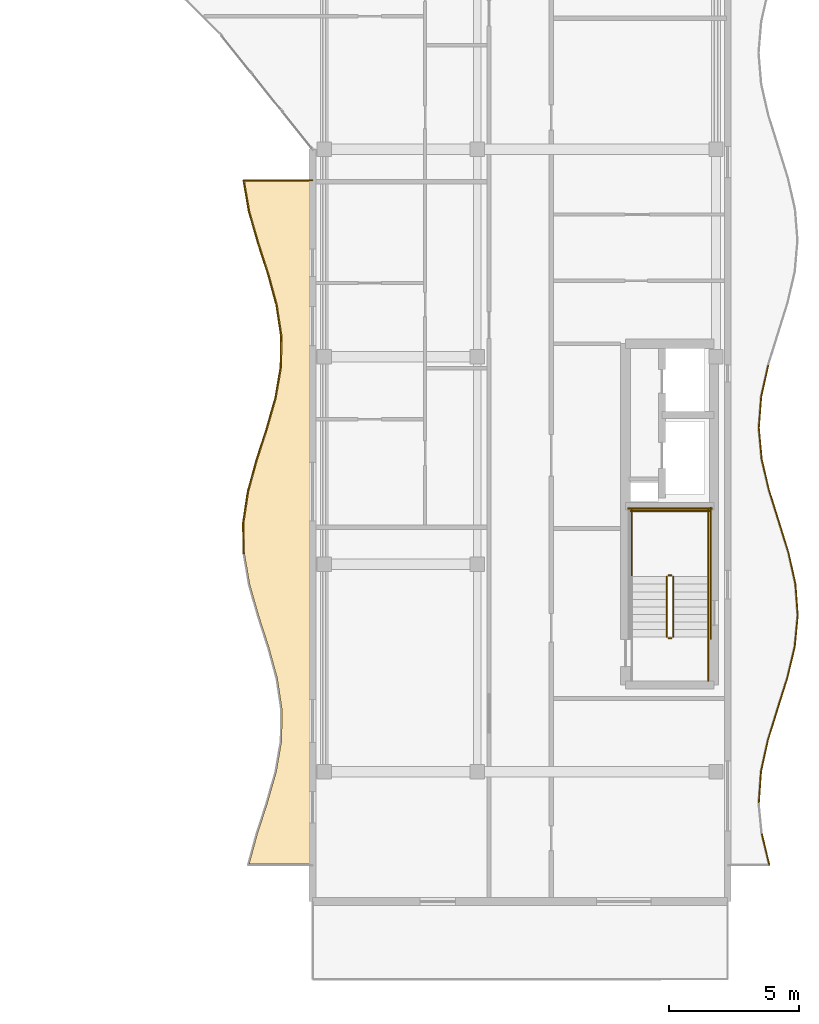
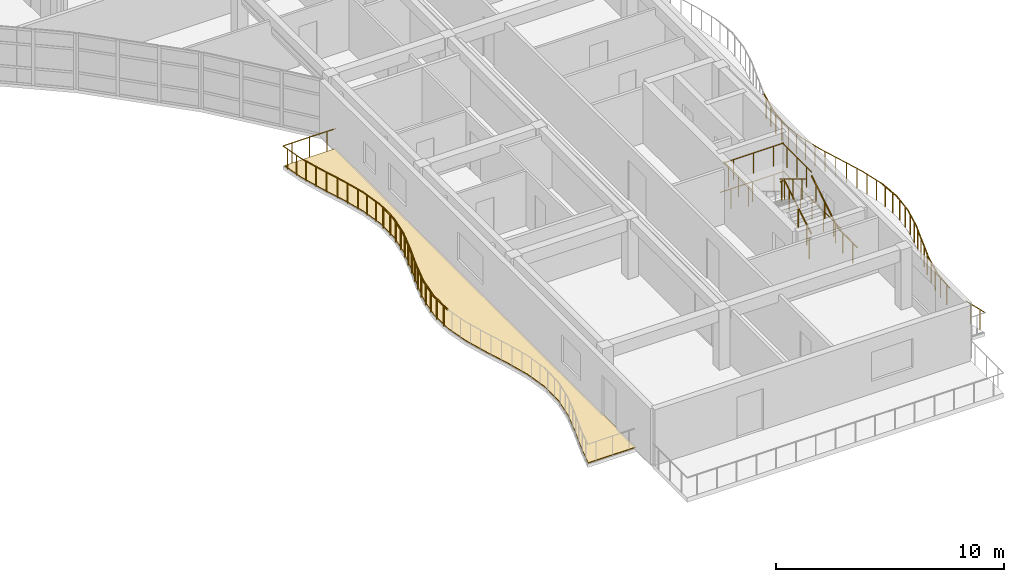
# One storey, part 47 of 49: 39 railings, 1 covering.
"""IFC4 building model written with IfcOpenShell, lengths in metres."""

from ifc_helpers import new_model, si_unit, direction, frame, origin, origin_2d, place, context, subcontext, project, spatial, polyline, circle, outline, extrude, material, layer, layer_set, type_object, element, save


model = new_model("IFC4")

# Units and contexts
model_context = context("Model", 3, precision=1e-05, world=origin(), true_north=direction((0.0, 1.0)))
body_context = subcontext(model_context, "Body", "Model", "MODEL_VIEW")
ifc_project = project(units=[si_unit("LENGTHUNIT", "METRE"), si_unit("AREAUNIT", "SQUARE_METRE"), si_unit("VOLUMEUNIT", "CUBIC_METRE"), si_unit("PLANEANGLEUNIT", "RADIAN"), si_unit("MASSUNIT", "GRAM", prefix="KILO")], contexts=[model_context])

# Site, building, storey
site_placement = place(None, origin())
site = spatial("IfcSite", under=ifc_project, at=site_placement, CompositionType="ELEMENT")
building_placement = place(site_placement, origin())
building = spatial("IfcBuilding", under=site, at=building_placement, Name="Keldmere Railside Commons", CompositionType="ELEMENT")
storey_placement = place(building_placement, frame((0.0, 0.0, 29.760009765625)))
storey = spatial("IfcBuildingStorey", under=building, at=storey_placement, Name="L09", CompositionType="ELEMENT", Elevation=29.760009765625)

# Railings
ifc_material_1 = material(Name="Steel F-24 (S235)", Category="steel")
railing_type_1 = type_object("IfcRailingType", Name="Balcony & Terrace Steel Balustrade 1100", PredefinedType="BALUSTRADE", material=ifc_material_1)
railing_1_placement = place(storey_placement, frame((165.333740234375, 72.39990234375, 0.0)))
element("IfcRailing", 1, at=railing_1_placement, inside=storey, type_object=railing_type_1, Name="GR-1 GRD-L09-4262", PredefinedType="BALUSTRADE", context=body_context, shape_type="SweptSolid", body=[
    extrude(circle(Radius=0.02392578125, at=origin_2d()), frame((0.0, 0.0, 1.076171875), z_axis=(-0.012610876677, 0.999920479733, 0.0), x_axis=(-0.999920479733, -0.012610876677, 0.0)), (0.0, 0.0, 1.0), 1.2001953125),
    extrude(circle(Radius=0.02099609375, at=origin_2d()), frame((-0.00390625, 0.300048828125, 0.0)), (0.0, 0.0, 1.0), 1.048095703125),
    extrude(circle(Radius=0.02099609375, at=origin_2d()), frame((-0.01123046875, 0.900146484375, 0.0)), (0.0, 0.0, 1.0), 1.048095703125),
])
railing_2_placement = place(storey_placement, frame((165.318603515625, 73.60009765625, 0.0)))
element("IfcRailing", 2, at=railing_2_placement, inside=storey, type_object=railing_type_1, Name="GR-1 GRD-L09-4263", PredefinedType="BALUSTRADE", context=body_context, shape_type="SweptSolid", body=[
    extrude(circle(Radius=0.02392578125, at=origin_2d()), frame((0.0, 0.0, 1.076171875), z_axis=(0.148881531912, 0.988855039657, 0.0), x_axis=(-0.988855039657, 0.148881531912, 0.0)), (0.0, 0.0, 1.0), 1.21337890625),
    extrude(circle(Radius=0.02099609375, at=origin_2d()), frame((0.045166015625, 0.300048828125, 0.0)), (0.0, 0.0, 1.0), 1.048095703125),
    extrude(circle(Radius=0.02099609375, at=origin_2d()), frame((0.135498046875, 0.89990234375, 0.0)), (0.0, 0.0, 1.0), 1.048095703125),
])
railing_3_placement = place(storey_placement, frame((165.499267578125, 74.800048828125, 0.0)))
element("IfcRailing", 3, at=railing_3_placement, inside=storey, type_object=railing_type_1, Name="GR-1 GRD-L09-4264", PredefinedType="BALUSTRADE", context=body_context, shape_type="SweptSolid", body=[
    extrude(circle(Radius=0.02392578125, at=origin_2d()), frame((0.0, 0.0, 1.076171875), z_axis=(0.263764983744, 0.964586975524, 0.0), x_axis=(-0.964586975524, 0.263764983744, 0.0)), (0.0, 0.0, 1.0), 1.243896484375),
    extrude(circle(Radius=0.02099609375, at=origin_2d()), frame((0.08203125, 0.300048828125, 0.0)), (0.0, 0.0, 1.0), 1.048095703125),
    extrude(circle(Radius=0.02099609375, at=origin_2d()), frame((0.24609375, 0.89990234375, 0.0)), (0.0, 0.0, 1.0), 1.048095703125),
])
railing_4_placement = place(storey_placement, frame((165.827392578125, 76.0, 0.0)))
element("IfcRailing", 4, at=railing_4_placement, inside=storey, type_object=railing_type_1, Name="GR-1 GRD-L09-4265", PredefinedType="BALUSTRADE", context=body_context, shape_type="SweptSolid", body=[
    extrude(circle(Radius=0.02392578125, at=origin_2d()), frame((0.0, 0.0, 1.076171875), z_axis=(0.307619257165, 0.951509533647, 0.0), x_axis=(-0.951509533647, 0.307619257165, 0.0)), (0.0, 0.0, 1.0), 1.260986328125),
    extrude(circle(Radius=0.02099609375, at=origin_2d()), frame((0.096923828125, 0.300048828125, 0.0)), (0.0, 0.0, 1.0), 1.048095703125),
    extrude(circle(Radius=0.02099609375, at=origin_2d()), frame((0.291015625, 0.89990234375, 0.0)), (0.0, 0.0, 1.0), 1.048095703125),
])
railing_5_placement = place(storey_placement, frame((166.21533203125, 77.199951171875, 0.0)))
element("IfcRailing", 5, at=railing_5_placement, inside=storey, type_object=railing_type_1, Name="GR-1 GRD-L09-4266", PredefinedType="BALUSTRADE", context=body_context, shape_type="SweptSolid", body=[
    extrude(circle(Radius=0.02392578125, at=origin_2d()), frame((0.0, 0.0, 1.076171875), z_axis=(0.275392714416, 0.961331812043, 0.0), x_axis=(-0.961331812043, 0.275392714416, 0.0)), (0.0, 0.0, 1.0), 1.248291015625),
    extrude(circle(Radius=0.02099609375, at=origin_2d()), frame((0.0859375, 0.300048828125, 0.0)), (0.0, 0.0, 1.0), 1.048095703125),
    extrude(circle(Radius=0.02099609375, at=origin_2d()), frame((0.2578125, 0.89990234375, 0.0)), (0.0, 0.0, 1.0), 1.048095703125),
])
railing_6_placement = place(storey_placement, frame((166.55908203125, 78.39990234375, 0.0)))
element("IfcRailing", 6, at=railing_6_placement, inside=storey, type_object=railing_type_1, Name="GR-1 GRD-L09-4267", PredefinedType="BALUSTRADE", context=body_context, shape_type="SweptSolid", body=[
    extrude(circle(Radius=0.02392578125, at=origin_2d()), frame((0.0, 0.0, 1.076171875), z_axis=(0.169987469068, 0.985446223982, 0.0), x_axis=(-0.985446223982, 0.169987469068, 0.0)), (0.0, 0.0, 1.0), 1.218017578125),
    extrude(circle(Radius=0.02099609375, at=origin_2d()), frame((0.0517578125, 0.300048828125, 0.0)), (0.0, 0.0, 1.0), 1.048095703125),
    extrude(circle(Radius=0.02099609375, at=origin_2d()), frame((0.1552734375, 0.900146484375, 0.0)), (0.0, 0.0, 1.0), 1.048095703125),
])
railing_7_placement = place(storey_placement, frame((166.76611328125, 79.60009765625, 0.0)))
element("IfcRailing", 7, at=railing_7_placement, inside=storey, type_object=railing_type_1, Name="GR-1 GRD-L09-4268", PredefinedType="BALUSTRADE", context=body_context, shape_type="SweptSolid", body=[
    extrude(circle(Radius=0.02392578125, at=origin_2d()), frame((0.0, 0.0, 1.076171875), z_axis=(0.012816851522, 0.999917860785, 0.0), x_axis=(-0.999917860785, 0.012816851522, 0.0)), (0.0, 0.0, 1.0), 1.199951171875),
    extrude(circle(Radius=0.02099609375, at=origin_2d()), frame((0.00390625, 0.300048828125, 0.0)), (0.0, 0.0, 1.0), 1.048095703125),
    extrude(circle(Radius=0.02099609375, at=origin_2d()), frame((0.011474609375, 0.89990234375, 0.0)), (0.0, 0.0, 1.0), 1.048095703125),
])
railing_8_placement = place(storey_placement, frame((166.781494140625, 80.800048828125, 0.0)))
element("IfcRailing", 8, at=railing_8_placement, inside=storey, type_object=railing_type_1, Name="GR-1 GRD-L09-4269", PredefinedType="BALUSTRADE", context=body_context, shape_type="SweptSolid", body=[
    extrude(circle(Radius=0.02392578125, at=origin_2d()), frame((0.0, 0.0, 1.076171875), z_axis=(-0.148881531912, 0.988855039657, 0.0), x_axis=(-0.988855039657, -0.148881531912, 0.0)), (0.0, 0.0, 1.0), 1.21337890625),
    extrude(circle(Radius=0.02099609375, at=origin_2d()), frame((-0.045166015625, 0.300048828125, 0.0)), (0.0, 0.0, 1.0), 1.048095703125),
    extrude(circle(Radius=0.02099609375, at=origin_2d()), frame((-0.135498046875, 0.89990234375, 0.0)), (0.0, 0.0, 1.0), 1.048095703125),
])
railing_9_placement = place(storey_placement, frame((166.600830078125, 82.0, 0.0)))
element("IfcRailing", 9, at=railing_9_placement, inside=storey, type_object=railing_type_1, Name="GR-1 GRD-L09-4270", PredefinedType="BALUSTRADE", context=body_context, shape_type="SweptSolid", body=[
    extrude(circle(Radius=0.02392578125, at=origin_2d()), frame((0.0, 0.0, 1.076171875), z_axis=(-0.263947569515, 0.964537029122, 0.0), x_axis=(-0.964537029122, -0.263947569515, 0.0)), (0.0, 0.0, 1.0), 1.244140625),
    extrude(circle(Radius=0.02099609375, at=origin_2d()), frame((-0.08203125, 0.300048828125, 0.0)), (0.0, 0.0, 1.0), 1.048095703125),
    extrude(circle(Radius=0.02099609375, at=origin_2d()), frame((-0.246337890625, 0.89990234375, 0.0)), (0.0, 0.0, 1.0), 1.048095703125),
])
railing_10_placement = place(storey_placement, frame((166.2724609375, 83.199951171875, 0.0)))
element("IfcRailing", 10, at=railing_10_placement, inside=storey, type_object=railing_type_1, Name="GR-1 GRD-L09-4271", PredefinedType="BALUSTRADE", context=body_context, shape_type="SweptSolid", body=[
    extrude(circle(Radius=0.02392578125, at=origin_2d()), frame((0.0, 0.0, 1.076171875), z_axis=(-0.307619257165, 0.951509533647, 0.0), x_axis=(-0.951509533647, -0.307619257165, 0.0)), (0.0, 0.0, 1.0), 1.260986328125),
    extrude(circle(Radius=0.02099609375, at=origin_2d()), frame((-0.096923828125, 0.300048828125, 0.0)), (0.0, 0.0, 1.0), 1.048095703125),
    extrude(circle(Radius=0.02099609375, at=origin_2d()), frame((-0.291015625, 0.89990234375, 0.0)), (0.0, 0.0, 1.0), 1.048095703125),
])
railing_11_placement = place(storey_placement, frame((165.884521484375, 84.39990234375, 0.0)))
element("IfcRailing", 11, at=railing_11_placement, inside=storey, type_object=railing_type_1, Name="GR-1 GRD-L09-4272", PredefinedType="BALUSTRADE", context=body_context, shape_type="SweptSolid", body=[
    extrude(circle(Radius=0.02392578125, at=origin_2d()), frame((0.0, 0.0, 1.076171875), z_axis=(-0.275160198413, 0.961398390476, 0.0), x_axis=(-0.961398390476, -0.275160198413, 0.0)), (0.0, 0.0, 1.0), 1.248291015625),
    extrude(circle(Radius=0.02099609375, at=origin_2d()), frame((-0.0859375, 0.300048828125, 0.0)), (0.0, 0.0, 1.0), 1.048095703125),
    extrude(circle(Radius=0.02099609375, at=origin_2d()), frame((-0.257568359375, 0.900146484375, 0.0)), (0.0, 0.0, 1.0), 1.048095703125),
])
railing_12_placement = place(storey_placement, frame((165.541015625, 85.60009765625, 0.0)))
element("IfcRailing", 12, at=railing_12_placement, inside=storey, type_object=railing_type_1, Name="GR-1 GRD-L09-4273", PredefinedType="BALUSTRADE", context=body_context, shape_type="SweptSolid", body=[
    extrude(circle(Radius=0.02392578125, at=origin_2d()), frame((0.0, 0.0, 1.076171875), z_axis=(-0.170215745629, 0.985406819512, 0.0), x_axis=(-0.985406819512, -0.170215745629, 0.0)), (0.0, 0.0, 1.0), 1.2177734375),
    extrude(circle(Radius=0.02099609375, at=origin_2d()), frame((-0.0517578125, 0.300048828125, 0.0)), (0.0, 0.0, 1.0), 1.048095703125),
    extrude(circle(Radius=0.02099609375, at=origin_2d()), frame((-0.155517578125, 0.89990234375, 0.0)), (0.0, 0.0, 1.0), 1.048095703125),
])
railing_13_placement = place(storey_placement, frame((165.333740234375, 86.800048828125, 0.0)))
element("IfcRailing", 13, at=railing_13_placement, inside=storey, type_object=railing_type_1, Name="GR-1 GRD-L09-4274", PredefinedType="BALUSTRADE", context=body_context, shape_type="SweptSolid", body=[
    extrude(circle(Radius=0.02392578125, at=origin_2d()), frame((0.0, 0.0, 1.076171875), z_axis=(1.0, 0.0, 0.0), x_axis=(0.0, 1.0, 0.0)), (0.0, 0.0, 1.0), 2.666259765625),
    extrude(circle(Radius=0.02099609375, at=origin_2d()), frame((0.4443359375, 0.0, 0.0)), (0.0, 0.0, 1.0), 1.048095703125),
    extrude(circle(Radius=0.02099609375, at=origin_2d()), frame((1.3330078125, 0.0, 0.0)), (0.0, 0.0, 1.0), 1.048095703125),
    extrude(circle(Radius=0.02099609375, at=origin_2d()), frame((2.221923828125, 0.0, 0.0)), (0.0, 0.0, 1.0), 1.048095703125),
])
railing_14_placement = place(storey_placement, frame((185.606689453125, 60.39990234375, 0.0)))
element("IfcRailing", 14, at=railing_14_placement, inside=storey, type_object=railing_type_1, Name="GR-1 GRD-L09-4276", PredefinedType="BALUSTRADE", context=body_context, shape_type="SweptSolid", body=[
    extrude(circle(Radius=0.02392578125, at=origin_2d()), frame((0.0, 0.0, 1.076171875), z_axis=(-0.232597533296, 0.972573075663, 0.0), x_axis=(-0.972573075663, -0.232597533296, 0.0)), (0.0, 0.0, 1.0), 1.238525390625),
    extrude(circle(Radius=0.02099609375, at=origin_2d()), frame((-0.072021484375, 0.30126953125, 0.0)), (0.0, 0.0, 1.0), 1.048095703125),
    extrude(circle(Radius=0.02099609375, at=origin_2d()), frame((-0.216064453125, 0.9033203125, 0.0)), (0.0, 0.0, 1.0), 1.048095703125),
])
railing_15_placement = place(storey_placement, frame((185.20068359375, 62.808837890625, 0.0)))
element("IfcRailing", 15, at=railing_15_placement, inside=storey, type_object=railing_type_1, Name="GR-1 GRD-L09-4278", PredefinedType="BALUSTRADE", context=body_context, shape_type="SweptSolid", body=[
    extrude(circle(Radius=0.02392578125, at=origin_2d()), frame((0.0, 0.0, 1.076171875), z_axis=(0.06996797817, 0.997549237898, 0.0), x_axis=(-0.997549237898, 0.06996797817, 0.0)), (0.0, 0.0, 1.0), 1.207275390625),
    extrude(circle(Radius=0.02099609375, at=origin_2d()), frame((0.02099609375, 0.301025390625, 0.0)), (0.0, 0.0, 1.0), 1.048095703125),
    extrude(circle(Radius=0.02099609375, at=origin_2d()), frame((0.0634765625, 0.9033203125, 0.0)), (0.0, 0.0, 1.0), 1.048095703125),
])
railing_16_placement = place(storey_placement, frame((185.28515625, 64.01318359375, 0.0)))
element("IfcRailing", 16, at=railing_16_placement, inside=storey, type_object=railing_type_1, Name="GR-1 GRD-L09-4279", PredefinedType="BALUSTRADE", context=body_context, shape_type="SweptSolid", body=[
    extrude(circle(Radius=0.02392578125, at=origin_2d()), frame((0.0, 0.0, 1.076171875), z_axis=(0.213826777551, 0.976871592996, 0.0), x_axis=(-0.976871592996, 0.213826777551, 0.0)), (0.0, 0.0, 1.0), 1.233154296875),
    extrude(circle(Radius=0.02099609375, at=origin_2d()), frame((0.06591796875, 0.30126953125, 0.0)), (0.0, 0.0, 1.0), 1.048095703125),
    extrude(circle(Radius=0.02099609375, at=origin_2d()), frame((0.19775390625, 0.9033203125, 0.0)), (0.0, 0.0, 1.0), 1.048095703125),
])
railing_17_placement = place(storey_placement, frame((185.548828125, 65.2177734375, 0.0)))
element("IfcRailing", 17, at=railing_17_placement, inside=storey, type_object=railing_type_1, Name="GR-1 GRD-L09-4280", PredefinedType="BALUSTRADE", context=body_context, shape_type="SweptSolid", body=[
    extrude(circle(Radius=0.02392578125, at=origin_2d()), frame((0.0, 0.0, 1.076171875), z_axis=(0.295174476395, 0.955443367492, 0.0), x_axis=(-0.955443367492, 0.295174476395, 0.0)), (0.0, 0.0, 1.0), 1.260498046875),
    extrude(circle(Radius=0.02099609375, at=origin_2d()), frame((0.093017578125, 0.301025390625, 0.0)), (0.0, 0.0, 1.0), 1.048095703125),
    extrude(circle(Radius=0.02099609375, at=origin_2d()), frame((0.279052734375, 0.9033203125, 0.0)), (0.0, 0.0, 1.0), 1.048095703125),
])
railing_18_placement = place(storey_placement, frame((185.9208984375, 66.422119140625, 0.0)))
element("IfcRailing", 18, at=railing_18_placement, inside=storey, type_object=railing_type_1, Name="GR-1 GRD-L09-4281", PredefinedType="BALUSTRADE", context=body_context, shape_type="SweptSolid", body=[
    extrude(circle(Radius=0.02392578125, at=origin_2d()), frame((0.0, 0.0, 1.076171875), z_axis=(0.300761316514, 0.953699444526, 0.0), x_axis=(-0.953699444526, 0.300761316514, 0.0)), (0.0, 0.0, 1.0), 1.26318359375),
    extrude(circle(Radius=0.02099609375, at=origin_2d()), frame((0.094970703125, 0.30126953125, 0.0)), (0.0, 0.0, 1.0), 1.048095703125),
    extrude(circle(Radius=0.02099609375, at=origin_2d()), frame((0.284912109375, 0.9033203125, 0.0)), (0.0, 0.0, 1.0), 1.048095703125),
])
railing_19_placement = place(storey_placement, frame((186.30078125, 67.626708984375, 0.0)))
element("IfcRailing", 19, at=railing_19_placement, inside=storey, type_object=railing_type_1, Name="GR-1 GRD-L09-4282", PredefinedType="BALUSTRADE", context=body_context, shape_type="SweptSolid", body=[
    extrude(circle(Radius=0.02392578125, at=origin_2d()), frame((0.0, 0.0, 1.076171875), z_axis=(0.230589261228, 0.973051176766, 0.0), x_axis=(-0.973051176766, 0.230589261228, 0.0)), (0.0, 0.0, 1.0), 1.23779296875),
    extrude(circle(Radius=0.02099609375, at=origin_2d()), frame((0.0712890625, 0.301025390625, 0.0)), (0.0, 0.0, 1.0), 1.048095703125),
    extrude(circle(Radius=0.02099609375, at=origin_2d()), frame((0.214111328125, 0.9033203125, 0.0)), (0.0, 0.0, 1.0), 1.048095703125),
])
railing_20_placement = place(storey_placement, frame((186.586181640625, 68.8310546875, 0.0)))
element("IfcRailing", 20, at=railing_20_placement, inside=storey, type_object=railing_type_1, Name="GR-1 GRD-L09-4283", PredefinedType="BALUSTRADE", context=body_context, shape_type="SweptSolid", body=[
    extrude(circle(Radius=0.02392578125, at=origin_2d()), frame((0.0, 0.0, 1.076171875), z_axis=(0.093828253991, 0.995588398262, 0.0), x_axis=(-0.995588398262, 0.093828253991, 0.0)), (0.0, 0.0, 1.0), 1.2099609375),
    extrude(circle(Radius=0.02099609375, at=origin_2d()), frame((0.0283203125, 0.30126953125, 0.0)), (0.0, 0.0, 1.0), 1.048095703125),
    extrude(circle(Radius=0.02099609375, at=origin_2d()), frame((0.085205078125, 0.9033203125, 0.0)), (0.0, 0.0, 1.0), 1.048095703125),
])
railing_21_placement = place(storey_placement, frame((186.69970703125, 70.03564453125, 0.0)))
element("IfcRailing", 21, at=railing_21_placement, inside=storey, type_object=railing_type_1, Name="GR-1 GRD-L09-4284", PredefinedType="BALUSTRADE", context=body_context, shape_type="SweptSolid", body=[
    extrude(circle(Radius=0.02392578125, at=origin_2d()), frame((0.0, 0.0, 1.076171875), z_axis=(-0.073588704225, 0.997288675665, 0.0), x_axis=(-0.997288675665, -0.073588704225, 0.0)), (0.0, 0.0, 1.0), 1.20751953125),
    extrude(circle(Radius=0.02099609375, at=origin_2d()), frame((-0.022216796875, 0.301025390625, 0.0)), (0.0, 0.0, 1.0), 1.048095703125),
    extrude(circle(Radius=0.02099609375, at=origin_2d()), frame((-0.066650390625, 0.9033203125, 0.0)), (0.0, 0.0, 1.0), 1.048095703125),
])
railing_22_placement = place(storey_placement, frame((186.61083984375, 71.239990234375, 0.0)))
element("IfcRailing", 22, at=railing_22_placement, inside=storey, type_object=railing_type_1, Name="GR-1 GRD-L09-4285", PredefinedType="BALUSTRADE", context=body_context, shape_type="SweptSolid", body=[
    extrude(circle(Radius=0.02392578125, at=origin_2d()), frame((0.0, 0.0, 1.076171875), z_axis=(-0.216511338558, 0.97628010339, 0.0), x_axis=(-0.97628010339, -0.216511338558, 0.0)), (0.0, 0.0, 1.0), 1.233642578125),
    extrude(circle(Radius=0.02099609375, at=origin_2d()), frame((-0.06689453125, 0.301025390625, 0.0)), (0.0, 0.0, 1.0), 1.048095703125),
    extrude(circle(Radius=0.02099609375, at=origin_2d()), frame((-0.2001953125, 0.9033203125, 0.0)), (0.0, 0.0, 1.0), 1.048095703125),
])
railing_23_placement = place(storey_placement, frame((186.34375, 72.4443359375, 0.0)))
element("IfcRailing", 23, at=railing_23_placement, inside=storey, type_object=railing_type_1, Name="GR-1 GRD-L09-4286", PredefinedType="BALUSTRADE", context=body_context, shape_type="SweptSolid", body=[
    extrude(circle(Radius=0.02392578125, at=origin_2d()), frame((0.0, 0.0, 1.076171875), z_axis=(-0.296180010427, 0.955132138201, 0.0), x_axis=(-0.955132138201, -0.296180010427, 0.0)), (0.0, 0.0, 1.0), 1.26123046875),
    extrude(circle(Radius=0.02099609375, at=origin_2d()), frame((-0.09326171875, 0.30126953125, 0.0)), (0.0, 0.0, 1.0), 1.048095703125),
    extrude(circle(Radius=0.02099609375, at=origin_2d()), frame((-0.2802734375, 0.9033203125, 0.0)), (0.0, 0.0, 1.0), 1.048095703125),
])
railing_24_placement = place(storey_placement, frame((185.97021484375, 73.64892578125, 0.0)))
element("IfcRailing", 24, at=railing_24_placement, inside=storey, type_object=railing_type_1, Name="GR-1 GRD-L09-4287", PredefinedType="BALUSTRADE", context=body_context, shape_type="SweptSolid", body=[
    extrude(circle(Radius=0.02392578125, at=origin_2d()), frame((0.0, 0.0, 1.076171875), z_axis=(-0.300113193125, 0.953903596446, 0.0), x_axis=(-0.953903596446, -0.300113193125, 0.0)), (0.0, 0.0, 1.0), 1.262451171875),
    extrude(circle(Radius=0.02099609375, at=origin_2d()), frame((-0.0947265625, 0.301025390625, 0.0)), (0.0, 0.0, 1.0), 1.048095703125),
    extrude(circle(Radius=0.02099609375, at=origin_2d()), frame((-0.2841796875, 0.9033203125, 0.0)), (0.0, 0.0, 1.0), 1.048095703125),
])
railing_25_placement = place(storey_placement, frame((185.59130859375, 74.853271484375, 0.0)))
element("IfcRailing", 25, at=railing_25_placement, inside=storey, type_object=railing_type_1, Name="GR-1 GRD-L09-4288", PredefinedType="BALUSTRADE", context=body_context, shape_type="SweptSolid", body=[
    extrude(circle(Radius=0.02392578125, at=origin_2d()), frame((0.0, 0.0, 1.076171875), z_axis=(-0.227928254713, 0.973677929658, 0.0), x_axis=(-0.973677929658, -0.227928254713, 0.0)), (0.0, 0.0, 1.0), 1.237060546875),
    extrude(circle(Radius=0.02099609375, at=origin_2d()), frame((-0.070556640625, 0.30126953125, 0.0)), (0.0, 0.0, 1.0), 1.048095703125),
    extrude(circle(Radius=0.02099609375, at=origin_2d()), frame((-0.21142578125, 0.9033203125, 0.0)), (0.0, 0.0, 1.0), 1.048095703125),
])
railing_26_placement = place(storey_placement, frame((185.309326171875, 76.057861328125, 0.0)))
element("IfcRailing", 26, at=railing_26_placement, inside=storey, type_object=railing_type_1, Name="GR-1 GRD-L09-4289", PredefinedType="BALUSTRADE", context=body_context, shape_type="SweptSolid", body=[
    extrude(circle(Radius=0.02392578125, at=origin_2d()), frame((0.0, 0.0, 1.076171875), z_axis=(-0.090244492114, 0.995919641157, 0.0), x_axis=(-0.995919641157, -0.090244492114, 0.0)), (0.0, 0.0, 1.0), 1.209228515625),
    extrude(circle(Radius=0.02099609375, at=origin_2d()), frame((-0.02734375, 0.301025390625, 0.0)), (0.0, 0.0, 1.0), 1.048095703125),
    extrude(circle(Radius=0.02099609375, at=origin_2d()), frame((-0.081787109375, 0.9033203125, 0.0)), (0.0, 0.0, 1.0), 1.048095703125),
])
railing_27_placement = place(storey_placement, frame((185.2001953125, 77.26220703125, 0.0)))
element("IfcRailing", 27, at=railing_27_placement, inside=storey, type_object=railing_type_1, Name="GR-1 GRD-L09-4290", PredefinedType="BALUSTRADE", context=body_context, shape_type="SweptSolid", body=[
    extrude(circle(Radius=0.02392578125, at=origin_2d()), frame((0.0, 0.0, 1.076171875), z_axis=(0.07719096809, 0.997016326068, 0.0), x_axis=(-0.997016326068, 0.07719096809, 0.0)), (0.0, 0.0, 1.0), 1.208251953125),
    extrude(circle(Radius=0.02099609375, at=origin_2d()), frame((0.0234375, 0.30126953125, 0.0)), (0.0, 0.0, 1.0), 1.048095703125),
    extrude(circle(Radius=0.02099609375, at=origin_2d()), frame((0.06982421875, 0.9033203125, 0.0)), (0.0, 0.0, 1.0), 1.048095703125),
])
railing_28_placement = place(storey_placement, frame((185.29345703125, 78.466796875, 0.0)))
element("IfcRailing", 28, at=railing_28_placement, inside=storey, type_object=railing_type_1, Name="GR-1 GRD-L09-4291", PredefinedType="BALUSTRADE", context=body_context, shape_type="SweptSolid", body=[
    extrude(circle(Radius=0.02392578125, at=origin_2d()), frame((0.0, 0.0, 1.076171875), z_axis=(0.218961481501, 0.97573350338, 0.0), x_axis=(-0.97573350338, 0.218961481501, 0.0)), (0.0, 0.0, 1.0), 1.234375),
    extrude(circle(Radius=0.02099609375, at=origin_2d()), frame((0.067626953125, 0.301025390625, 0.0)), (0.0, 0.0, 1.0), 1.048095703125),
    extrude(circle(Radius=0.02099609375, at=origin_2d()), frame((0.20263671875, 0.9033203125, 0.0)), (0.0, 0.0, 1.0), 1.048095703125),
])
railing_type_2 = type_object("IfcRailingType", Name="Stair Well Steel Guardrail 1100", PredefinedType="BALUSTRADE", material=ifc_material_1)
railing_29_placement = place(storey_placement, frame((181.89990234375, 69.199951171875, 0.177734375)))
element("IfcRailing", 29, at=railing_29_placement, inside=storey, type_object=railing_type_2, Name="L09 ST-A1 stair guard 1", PredefinedType="BALUSTRADE", context=body_context, shape_type="SweptSolid", body=[
    extrude(circle(Radius=0.02392578125, at=origin_2d()), frame((0.0, 0.0, 1.076171875), z_axis=(0.0, 0.852538067394, 0.522665135287), x_axis=(-1.0, 0.0, 0.0)), (0.0, 0.0, 1.0), 2.721435546875),
    extrude(circle(Radius=0.02099609375, at=origin_2d()), frame((0.0, 0.38671875, 0.237060546875)), (0.0, 0.0, 1.0), 1.048095703125),
    extrude(circle(Radius=0.02099609375, at=origin_2d()), frame((0.0, 1.16015625, 0.711181640625)), (0.0, 0.0, 1.0), 1.048095703125),
    extrude(circle(Radius=0.02099609375, at=origin_2d()), frame((0.0, 1.933349609375, 1.185302734375)), (0.0, 0.0, 1.0), 1.048095703125),
])
railing_30_placement = place(storey_placement, frame((181.85009765625, 71.570068359375, 1.60009765625)))
element("IfcRailing", 30, at=railing_30_placement, inside=storey, type_object=railing_type_2, Name="L09 ST-A1 stair guard 2", PredefinedType="BALUSTRADE", context=body_context, shape_type="SweptSolid", body=[
    extrude(circle(Radius=0.02392578125, at=origin_2d()), frame((0.0, 0.0, 1.076171875), z_axis=(-1.0, 0.0, 0.0), x_axis=(0.0, -1.0, 0.0)), (0.0, 0.0, 1.0), 0.150146484375),
    extrude(circle(Radius=0.02099609375, at=origin_2d()), frame((-0.0751953125, 0.0, 0.0)), (0.0, 0.0, 1.0), 1.048095703125),
])
for number, where, name in (
    (31, (183.25, 71.52001953125, 1.60009765625), "L09 ST-A1 stair guard 3"),
    (32, (180.300048828125, 71.52001953125, 1.60009765625), "L09 ST-A1 stair guard 4"),
):
    element("IfcRailing", number, at=place(storey_placement, frame(where)), inside=storey, type_object=railing_type_2, Name=name, PredefinedType="BALUSTRADE", context=body_context, shape_type="SweptSolid", body=[
        extrude(circle(Radius=0.02392578125, at=origin_2d()), frame((0.0, 0.0, 1.076171875), z_axis=(0.0, 1.0, 0.0), x_axis=(-1.0, 0.0, 0.0)), (0.0, 0.0, 1.0), 2.580078125),
        extrude(circle(Radius=0.02099609375, at=origin_2d()), frame((0.0, 0.429931640625, 0.0)), (0.0, 0.0, 1.0), 1.048095703125),
        extrude(circle(Radius=0.02099609375, at=origin_2d()), frame((0.0, 1.2900390625, 0.0)), (0.0, 0.0, 1.0), 1.048095703125),
        extrude(circle(Radius=0.02099609375, at=origin_2d()), frame((0.0, 2.150146484375, 0.0)), (0.0, 0.0, 1.0), 1.048095703125),
    ])
railing_31_placement = place(storey_placement, frame((183.300048828125, 74.050048828125, 1.60009765625)))
element("IfcRailing", 33, at=railing_31_placement, inside=storey, type_object=railing_type_2, Name="L09 ST-A1 stair guard 5", PredefinedType="BALUSTRADE", context=body_context, shape_type="SweptSolid", body=[
    extrude(circle(Radius=0.02392578125, at=origin_2d()), frame((0.0, 0.0, 1.076171875), z_axis=(-1.0, 0.0, 0.0), x_axis=(0.0, -1.0, 0.0)), (0.0, 0.0, 1.0), 3.050048828125),
    extrude(circle(Radius=0.02099609375, at=origin_2d()), frame((-0.50830078125, 0.0, 0.0)), (0.0, 0.0, 1.0), 1.048095703125),
    extrude(circle(Radius=0.02099609375, at=origin_2d()), frame((-1.52490234375, 0.0, 0.0)), (0.0, 0.0, 1.0), 1.048095703125),
    extrude(circle(Radius=0.02099609375, at=origin_2d()), frame((-2.541748046875, 0.0, 0.0)), (0.0, 0.0, 1.0), 1.048095703125),
])
railing_32_placement = place(storey_placement, frame((181.64990234375, 71.52001953125, 1.77783203125)))
element("IfcRailing", 34, at=railing_32_placement, inside=storey, type_object=railing_type_2, Name="L09 ST-A1 stair guard 6", PredefinedType="BALUSTRADE", context=body_context, shape_type="SweptSolid", body=[
    extrude(circle(Radius=0.02392578125, at=origin_2d()), frame((0.0, 0.0, 1.076171875), z_axis=(0.0, -0.852578041948, 0.522599925744), x_axis=(1.0, 0.0, 0.0)), (0.0, 0.0, 1.0), 2.72119140625),
    extrude(circle(Radius=0.02099609375, at=origin_2d()), frame((0.0, -0.38671875, 0.237060546875)), (0.0, 0.0, 1.0), 1.048095703125),
    extrude(circle(Radius=0.02099609375, at=origin_2d()), frame((0.0, -1.16015625, 0.7109375)), (0.0, 0.0, 1.0), 1.048095703125),
    extrude(circle(Radius=0.02099609375, at=origin_2d()), frame((0.0, -1.933349609375, 1.18505859375)), (0.0, 0.0, 1.0), 1.048095703125),
])
railing_33_placement = place(storey_placement, frame((181.85009765625, 69.14990234375, 0.0)))
element("IfcRailing", 35, at=railing_33_placement, inside=storey, type_object=railing_type_2, Name="L09 ST-A1 stair guard 7", PredefinedType="BALUSTRADE", context=body_context, shape_type="SweptSolid", body=[
    extrude(circle(Radius=0.02392578125, at=origin_2d()), frame((0.0, 0.0, 1.076171875), z_axis=(-1.0, 0.0, 0.0), x_axis=(0.0, -1.0, 0.0)), (0.0, 0.0, 1.0), 0.150146484375),
    extrude(circle(Radius=0.02099609375, at=origin_2d()), frame((-0.0751953125, 0.0, 0.0)), (0.0, 0.0, 1.0), 1.048095703125),
])
railing_34_placement = place(storey_placement, frame((183.25, 67.5, 0.0)))
element("IfcRailing", 36, at=railing_34_placement, inside=storey, type_object=railing_type_2, Name="L09 ST-A1 stair guard 8", PredefinedType="BALUSTRADE", context=body_context, shape_type="SweptSolid", body=[
    extrude(circle(Radius=0.02392578125, at=origin_2d()), frame((0.0, 0.0, 1.076171875), z_axis=(0.0, 1.0, 0.0), x_axis=(-1.0, 0.0, 0.0)), (0.0, 0.0, 1.0), 1.699951171875),
    extrude(circle(Radius=0.02099609375, at=origin_2d()), frame((0.0, 0.425048828125, 0.0)), (0.0, 0.0, 1.0), 1.048095703125),
    extrude(circle(Radius=0.02099609375, at=origin_2d()), frame((0.0, 1.27490234375, 0.0)), (0.0, 0.0, 1.0), 1.048095703125),
])
railing_35_placement = place(storey_placement, frame((183.35009765625, 69.10009765625, 0.0)))
element("IfcRailing", 37, at=railing_35_placement, inside=storey, type_object=railing_type_2, Name="L09 ST-A1 stair guard 10", PredefinedType="BALUSTRADE", context=body_context, shape_type="SweptSolid", body=[
    extrude(circle(Radius=0.02392578125, at=origin_2d()), frame((0.0, 0.0, 1.076171875), z_axis=(0.0, 1.0, 0.0), x_axis=(-1.0, 0.0, 0.0)), (0.0, 0.0, 1.0), 5.099853515625),
    extrude(circle(Radius=0.02099609375, at=origin_2d()), frame((0.0, 0.510009765625, 0.0)), (0.0, 0.0, 1.0), 1.048095703125),
    extrude(circle(Radius=0.02099609375, at=origin_2d()), frame((0.0, 1.530029296875, 0.0)), (0.0, 0.0, 1.0), 1.048095703125),
    extrude(circle(Radius=0.02099609375, at=origin_2d()), frame((0.0, 2.5498046875, 0.0)), (0.0, 0.0, 1.0), 1.048095703125),
    extrude(circle(Radius=0.02099609375, at=origin_2d()), frame((0.0, 3.56982421875, 0.0)), (0.0, 0.0, 1.0), 1.048095703125),
    extrude(circle(Radius=0.02099609375, at=origin_2d()), frame((0.0, 4.58984375, 0.0)), (0.0, 0.0, 1.0), 1.048095703125),
])
railing_36_placement = place(storey_placement, frame((183.39990234375, 74.14990234375, 0.0)))
element("IfcRailing", 38, at=railing_36_placement, inside=storey, type_object=railing_type_2, Name="L09 ST-A1 stair guard 12", PredefinedType="BALUSTRADE", context=body_context, shape_type="SweptSolid", body=[
    extrude(circle(Radius=0.02392578125, at=origin_2d()), frame((0.0, 0.0, 1.076171875), z_axis=(-1.0, 0.0, 0.0), x_axis=(0.0, -1.0, 0.0)), (0.0, 0.0, 1.0), 3.25),
    extrude(circle(Radius=0.02099609375, at=origin_2d()), frame((-0.541748046875, 0.0, 0.0)), (0.0, 0.0, 1.0), 1.048095703125),
    extrude(circle(Radius=0.02099609375, at=origin_2d()), frame((-1.625, 0.0, 0.0)), (0.0, 0.0, 1.0), 1.048095703125),
    extrude(circle(Radius=0.02099609375, at=origin_2d()), frame((-2.708251953125, 0.0, 0.0)), (0.0, 0.0, 1.0), 1.048095703125),
])
railing_type_3 = type_object("IfcRailingType", Name="Wall-Mounted Tubular Steel Handrail 900", PredefinedType="HANDRAIL", material=ifc_material_1)
railing_37_placement = place(storey_placement, frame((183.25, 69.199951171875, 0.177734375)))
element("IfcRailing", 39, at=railing_37_placement, inside=storey, type_object=railing_type_3, Name="L09 ST-A1 stair handrail 1", PredefinedType="HANDRAIL", context=body_context, shape_type="SweptSolid", body=[
    extrude(circle(Radius=0.02392578125, at=origin_2d()), frame((0.0, 0.0, 0.8759765625), z_axis=(0.0, 0.852538067394, 0.522665135287), x_axis=(-1.0, 0.0, 0.0)), (0.0, 0.0, 1.0), 2.721435546875),
    extrude(circle(Radius=0.02099609375, at=origin_2d()), frame((0.0, 0.38671875, 0.237060546875)), (0.0, 0.0, 1.0), 0.847900390625),
    extrude(circle(Radius=0.02099609375, at=origin_2d()), frame((0.0, 1.16015625, 0.711181640625)), (0.0, 0.0, 1.0), 0.847900390625),
    extrude(circle(Radius=0.02099609375, at=origin_2d()), frame((0.0, 1.933349609375, 1.185302734375)), (0.0, 0.0, 1.0), 0.847900390625),
])

# Covering
ifc_material_2 = material(Name="White Precast Concrete C35/45", Category="concrete")
ifc_layer = layer(ifc_material_2, 0.044921875, Name="White Architectural Balcony Ribbon Cladding 45")
ifc_layer_set = layer_set([ifc_layer], Name="White Precast Concrete C35/45")
covering_type = type_object("IfcCoveringType", Name="White Architectural Balcony Ribbon Cladding 45", PredefinedType="FLOORING", material=ifc_layer_set)
covering_placement = place(storey_placement, origin())
element("IfcCovering", 40, at=covering_placement, inside=storey, type_object=covering_type, Name="CLG-WB A L09 CW White Balcony Ribbon", PredefinedType="FLOORING", context=body_context, shape_type="SweptSolid", body=[
    extrude(outline(polyline([(167.9599609375, 86.760009765625), (165.38134765625, 86.760009765625), (165.580078125, 85.60888671875), (165.9228515625, 84.41162109375), (166.310546875, 83.21240234375), (166.31103515625, 83.210693359375), (166.639404296875, 82.010498046875), (166.640380859375, 82.006103515625), (166.821044921875, 80.805908203125), (166.8212890625, 80.802734375), (166.821533203125, 80.799560546875), (166.80615234375, 79.599609375), (166.805908203125, 79.59619140625), (166.8056640625, 79.59326171875), (166.598388671875, 78.393310546875), (166.597412109375, 78.388916015625), (166.25390625, 77.18896484375), (166.25341796875, 77.187744140625), (165.86572265625, 75.988525390625), (165.538330078125, 74.791748046875), (165.3583984375, 73.597412109375), (165.373779296875, 72.40380859375), (165.580078125, 71.208984375), (165.9228515625, 70.01171875), (166.310546875, 68.812255859375), (166.31103515625, 68.810546875), (166.639404296875, 67.610595703125), (166.640380859375, 67.60595703125), (166.821044921875, 66.406005859375), (166.8212890625, 66.402587890625), (166.821533203125, 66.3994140625), (166.80615234375, 65.199462890625), (166.805908203125, 65.1962890625), (166.8056640625, 65.193115234375), (166.598388671875, 63.9931640625), (166.597412109375, 63.989013671875), (166.25390625, 62.7890625), (166.25341796875, 62.78759765625), (165.86572265625, 61.588623046875), (165.551513671875, 60.43994140625), (167.9599609375, 60.43994140625), (167.9599609375, 86.760009765625)])), origin(), (0.0, 0.0, 1.0), 0.044921875),
])

save(model, "model.ifc")
